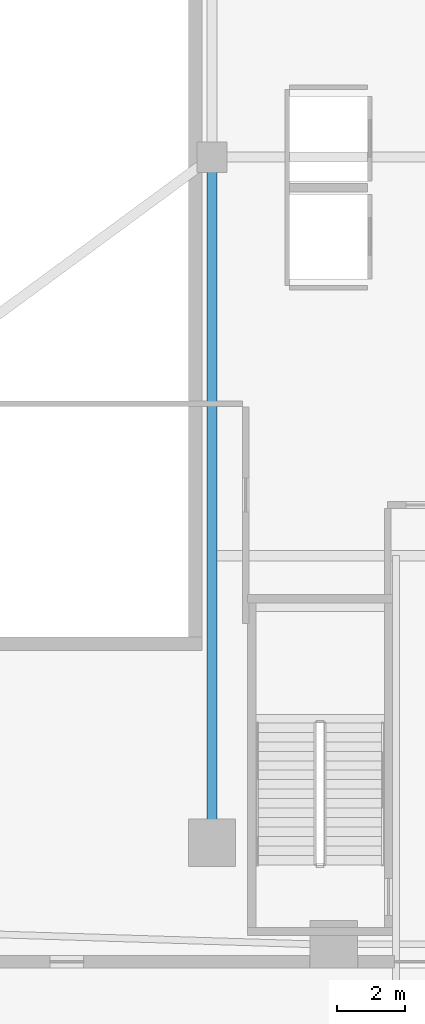
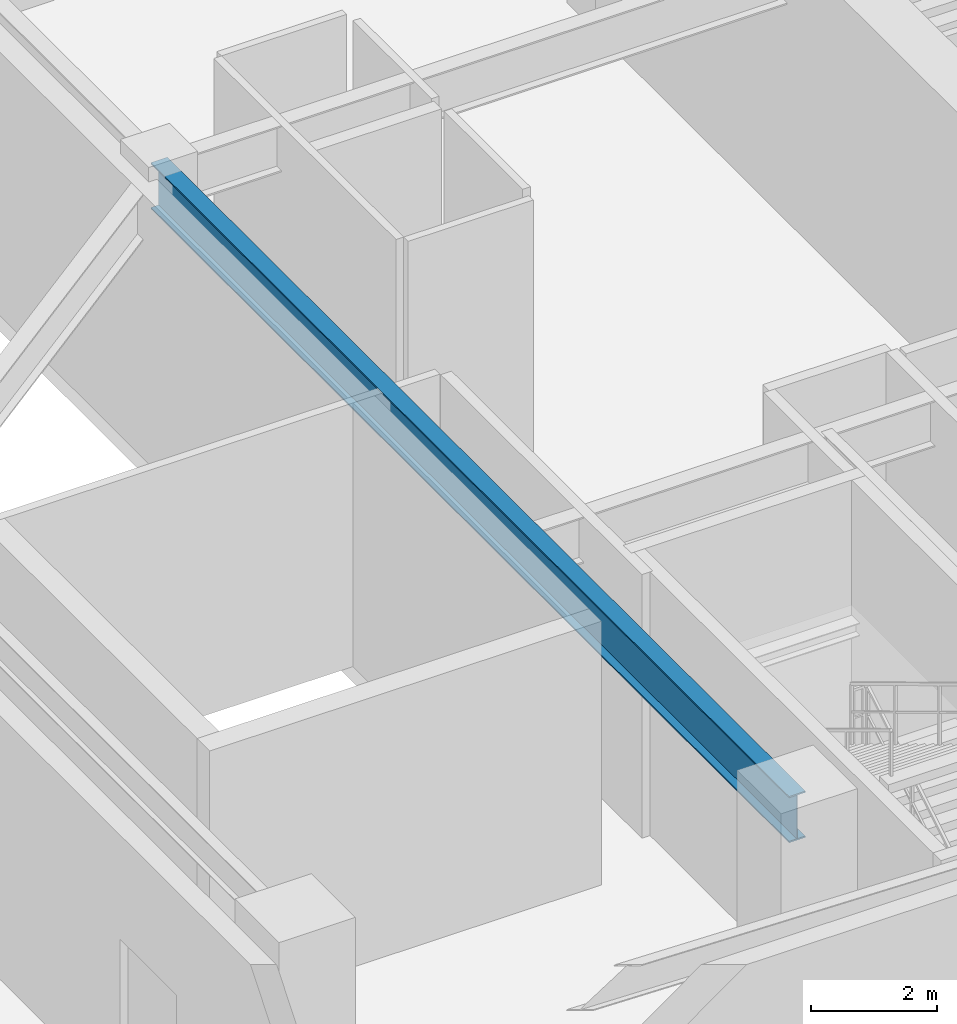
# One storey, part 7 of 32: 1 beam.
"""IFC4 building model written with IfcOpenShell, lengths in metres."""

from ifc_helpers import new_model, si_unit, direction, frame, origin, origin_2d, place, context, subcontext, project, spatial, i_section, extrude, source, transform, mapped, material, material_profile, profile_set, type_object, element, save


model = new_model("IFC4")

# Units and contexts
model_context = context("Model", 3, precision=1e-05, world=origin(), true_north=direction((0.0, 1.0)))
body_context = subcontext(model_context, "Body", "Model", "MODEL_VIEW")
ifc_project = project(units=[si_unit("LENGTHUNIT", "METRE"), si_unit("AREAUNIT", "SQUARE_METRE"), si_unit("VOLUMEUNIT", "CUBIC_METRE"), si_unit("PLANEANGLEUNIT", "RADIAN"), si_unit("MASSUNIT", "GRAM", prefix="KILO"), si_unit("THERMODYNAMICTEMPERATUREUNIT", "KELVIN"), si_unit("POWERUNIT", "WATT")], contexts=[model_context])

# Site, building, storey
site_placement = place(None, origin())
site = spatial("IfcSite", under=ifc_project, at=site_placement, CompositionType="ELEMENT")
building_placement = place(site_placement, origin())
building = spatial("IfcBuilding", under=site, at=building_placement, Name="Yuzanri Waterfront Tower", CompositionType="ELEMENT")
storey_placement = place(building_placement, origin())
storey = spatial("IfcBuildingStorey", under=building, at=storey_placement, Name="L01", CompositionType="ELEMENT", Elevation=0.0)

# Beam
ifc_material = material(Name="Steel Q355B", Category="steel")
ifc_material_profile = material_profile(ifc_material, i_section(OverallWidth=0.300048828125, OverallDepth=0.89990234375, WebThickness=0.01611328125, FlangeThickness=0.028076171875, at=origin_2d()), Name="HN 900x300x16x28")
ifc_profile_set = profile_set([ifc_material_profile], Name="Steel Q355B")
beam_type = type_object("IfcBeamType", Name="Primary Podium Girder Q355B HN 900x300", PredefinedType="BEAM", material=ifc_profile_set)
shared_shape = source(origin(), body_context, "Body", "SweptSolid", [
    extrude(i_section(OverallWidth=0.300048828125, OverallDepth=0.89990234375, WebThickness=0.01611328125, FlangeThickness=0.028076171875, at=origin_2d()), origin(), (0.0, 0.0, 1.0), 20.300048828125),
])
beam_placement = place(storey_placement, frame((11.89990234375, 5.5, 4.669921875), z_axis=(0.0, 1.0, 0.0), x_axis=(-1.0, 0.0, 0.0)))
element("IfcBeam", 1, at=beam_placement, inside=storey, type_object=beam_type, Name="L01 Podium Spine Girder S", PredefinedType="BEAM", context=body_context, shape_type="MappedRepresentation", body=[
    mapped(shared_shape, transform((0.0, 0.0, 0.0), scale=1.0)),
])

save(model, "model.ifc")
